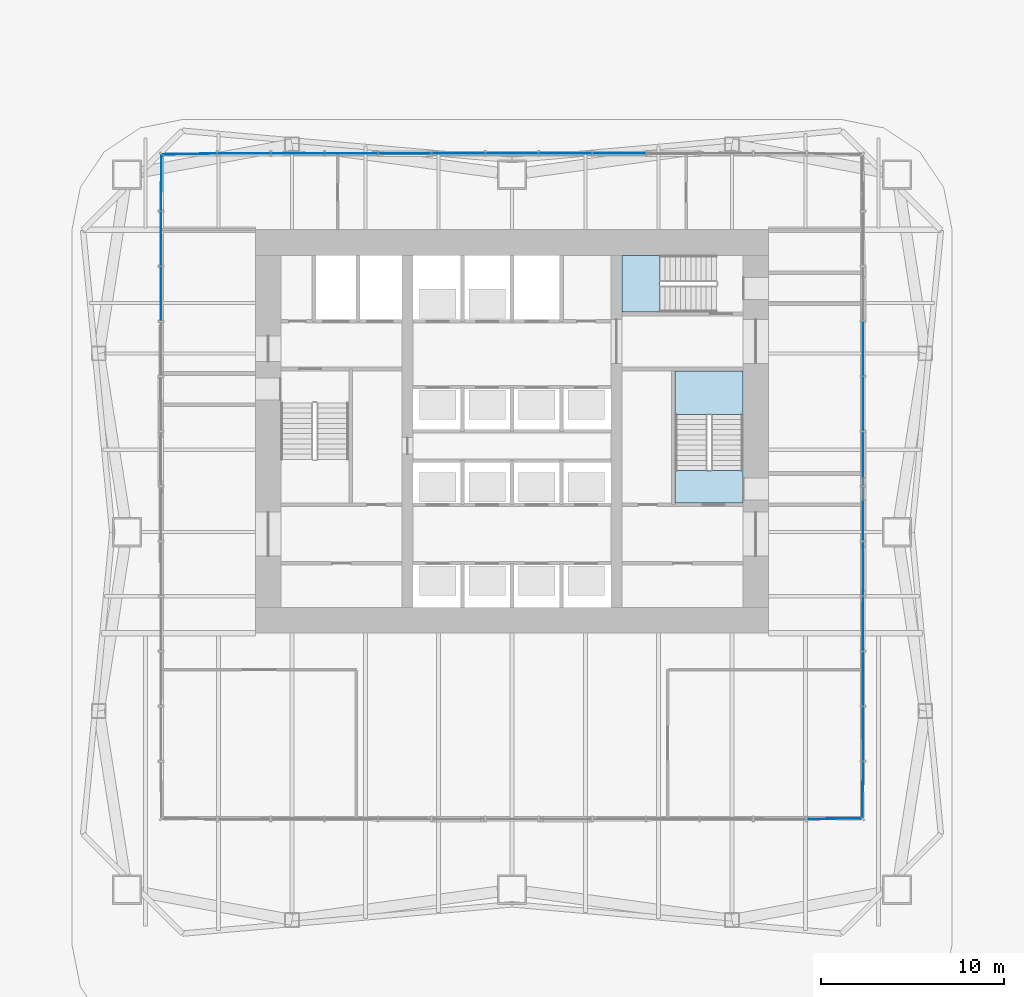
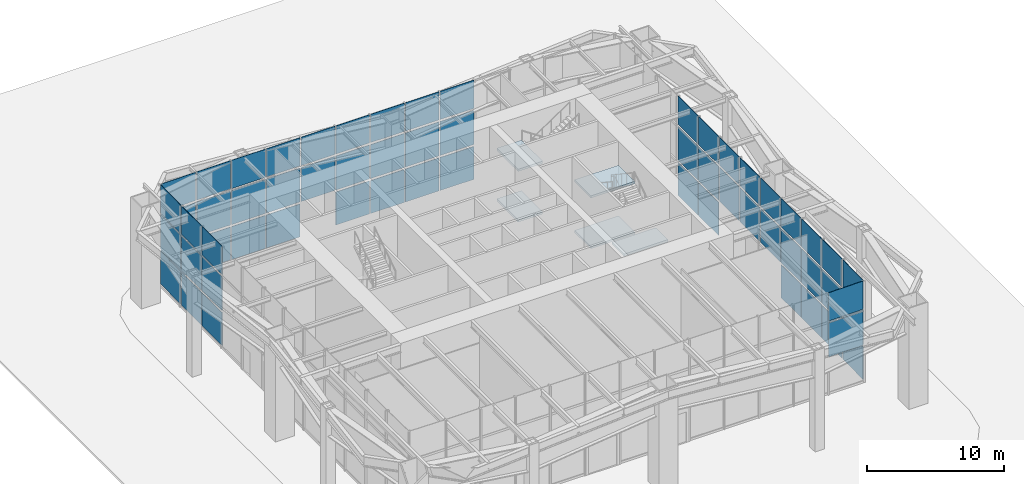
# One storey, part 6 of 13: 61 plates, 5 slabs, 6 elements without a shape of their own.
"""IFC4 building model written with IfcOpenShell, lengths in metres."""

import ifcopenshell
import ifcopenshell.guid

model = None  # the IFC model being written
_history = None  # IfcOwnerHistory: only IFC2X3 demands one
_inside = {}  # id of a spatial element -> (the spatial element, [elements in it])
_under = {}  # id of a project, library or spatial element -> (it, [spatial elements below it])
_declared = {}  # id of a project -> (the project, [libraries it declares])
_typed = {}  # id of a type object -> (the type object, [elements of that type])
_made_of = {}  # id of a material, layer set ... -> (it, [elements and type objects made of it])


def new_model(schema):
    """Start an empty IFC model of exactly this schema.

    Asked for "IFC4X3", IfcOpenShell would pick the latest addendum, in which some entities
    have other attributes; the version numbers below select the first issue.
    IFC2X3 requires an IfcOwnerHistory on every rooted entity: one is made here for all.
    """
    global model, _history
    if schema == "IFC4X3":
        model = ifcopenshell.file(schema_version=(4, 3, 0, 0))
    else:
        model = ifcopenshell.file(schema=schema)
    _inside.clear()
    _under.clear()
    _declared.clear()
    _typed.clear()
    _made_of.clear()
    _history = None
    if model.schema == "IFC2X3":
        org = make("IfcOrganization", Name="unknown")
        user = make(
            "IfcPersonAndOrganization",
            ThePerson=make("IfcPerson", FamilyName="unknown"),
            TheOrganization=org,
        )
        app = make(
            "IfcApplication",
            ApplicationDeveloper=org,
            Version="unknown",
            ApplicationFullName="unknown",
            ApplicationIdentifier="unknown",
        )
        _history = make(
            "IfcOwnerHistory",
            OwningUser=user,
            OwningApplication=app,
            ChangeAction="ADDED",
            CreationDate=0,
        )
    return model


def make(cls, **values):
    """One entity of the class cls with the attributes given. An attribute that is None is left unset."""
    return model.create_entity(
        cls, **{name: value for name, value in values.items() if value is not None}
    )


def rooted(cls, **values):
    """An entity with a GlobalId (a new one), such as an element, a storey or a relation."""
    return make(cls, GlobalId=ifcopenshell.guid.new(), OwnerHistory=_history, **values)


def si_unit(unit_type, name, prefix=None):
    """IfcSIUnit, for example si_unit("LENGTHUNIT", "METRE", prefix="MILLI")."""
    return make("IfcSIUnit", UnitType=unit_type, Prefix=prefix, Name=name)


def assignment(units):
    """IfcUnitAssignment: the units of a project."""
    return None if units is None else make("IfcUnitAssignment", Units=units)


def point(xyz):
    """IfcCartesianPoint."""
    return None if xyz is None else make("IfcCartesianPoint", Coordinates=xyz)


def direction(xyz):
    """IfcDirection."""
    return None if xyz is None else make("IfcDirection", DirectionRatios=xyz)


def frame(location, z_axis=None, x_axis=None):
    """IfcAxis2Placement3D, a coordinate frame: its origin and axes. An axis left out is left unset."""
    return make(
        "IfcAxis2Placement3D",
        Location=point(location),
        Axis=direction(z_axis),
        RefDirection=direction(x_axis),
    )


def frame_2d(location, x_axis=None):
    """IfcAxis2Placement2D, a coordinate frame in the plane: its origin and x axis."""
    return make(
        "IfcAxis2Placement2D", Location=point(location), RefDirection=direction(x_axis)
    )


def origin():
    """The frame at (0, 0, 0) with its axes left unset."""
    return frame((0.0, 0.0, 0.0))


def origin_2d():
    """The frame at (0, 0) in the plane with its x axis left unset."""
    return frame_2d((0.0, 0.0))


def place(relative_to, where):
    """IfcLocalPlacement: puts the frame where relative to a parent placement (None: the world)."""
    return make(
        "IfcLocalPlacement", PlacementRelTo=relative_to, RelativePlacement=where
    )


def context(
    kind, dimensions, precision=None, world=None, true_north=None, identifier=None
):
    """IfcGeometricRepresentationContext, for example the 3D "Model" context."""
    return make(
        "IfcGeometricRepresentationContext",
        ContextIdentifier=identifier,
        ContextType=kind,
        CoordinateSpaceDimension=dimensions,
        Precision=precision,
        WorldCoordinateSystem=world,
        TrueNorth=true_north,
    )


def subcontext(parent, identifier, kind, view, scale=None):
    """IfcGeometricRepresentationSubContext, for example "Body" below "Model"."""
    return make(
        "IfcGeometricRepresentationSubContext",
        ContextIdentifier=identifier,
        ContextType=kind,
        ParentContext=parent,
        TargetScale=scale,
        TargetView=view,
    )


def project(units=None, contexts=None):
    """IfcProject with its units and contexts."""
    return rooted(
        "IfcProject",
        Name="project",
        RepresentationContexts=contexts,
        UnitsInContext=assignment(units),
    )


def spatial(cls, under=None, at=None, **own):
    """A site, building, storey or space (cls), placed at a placement, below another one or the project."""
    s = rooted(cls, ObjectPlacement=at, **own)
    if under is not None:
        _under.setdefault(under.id(), (under, []))[1].append(s)
    return s


def polyline(points):
    """IfcPolyline through the points."""
    return make("IfcPolyline", Points=[point(p) for p in points])


def profile(cls, at=None, kind="AREA", **sizes):
    """A parametric profile (cls). Its sizes go by their IFC names, for example OverallWidth=200.0."""
    return make(cls, ProfileType=kind, Position=at, **sizes)


def rectangle(**sizes):
    """IfcRectangleProfileDef."""
    return profile("IfcRectangleProfileDef", **sizes)


def outline(outer, holes=None, kind="AREA"):
    """IfcArbitraryClosedProfileDef: a profile drawn as a closed curve; with holes, ...WithVoids."""
    if holes is None:
        return make("IfcArbitraryClosedProfileDef", ProfileType=kind, OuterCurve=outer)
    return make(
        "IfcArbitraryProfileDefWithVoids",
        ProfileType=kind,
        OuterCurve=outer,
        InnerCurves=holes,
    )


def extrude(swept, where, along, depth):
    """IfcExtrudedAreaSolid: the profile swept, set in the frame where, extruded along a direction by depth."""
    return make(
        "IfcExtrudedAreaSolid",
        SweptArea=swept,
        Position=where,
        ExtrudedDirection=direction(along),
        Depth=depth,
    )


def shape(context_of_items, identifier, shape_type, items):
    """IfcShapeRepresentation: the items that make up one representation, for example the "Body"."""
    return make(
        "IfcShapeRepresentation",
        ContextOfItems=context_of_items,
        RepresentationIdentifier=identifier,
        RepresentationType=shape_type,
        Items=items,
    )


def material(Name=None, Category=None):
    """IfcMaterial."""
    return make("IfcMaterial", Name=Name, Category=Category)


def layer(
    of_material, thickness, ventilated=None, Name=None, Category=None, Priority=None
):
    """IfcMaterialLayer: one layer of a wall or slab, of a material (None: an air gap)."""
    return make(
        "IfcMaterialLayer",
        Material=of_material,
        LayerThickness=thickness,
        IsVentilated=ventilated,
        Name=Name,
        Category=Category,
        Priority=Priority,
    )


def layer_set(layers, Name=None):
    """IfcMaterialLayerSet."""
    return make("IfcMaterialLayerSet", MaterialLayers=layers, LayerSetName=Name)


def made_of(thing, what):
    """Note that an element or type object is made of a material, layer set ...; save() writes the relation."""
    if what is not None:
        _made_of.setdefault(what.id(), (what, []))[1].append(thing)
    return thing


def type_object(cls, material=None, **own):
    """A type object (cls), such as IfcWallType, which elements share."""
    return made_of(rooted(cls, **own), material)


def element(
    cls,
    number,
    at=None,
    inside=None,
    cuts=None,
    type_object=None,
    material=None,
    context=None,
    identifier="Body",
    shape_type=None,
    held_by="IfcProductDefinitionShape",
    body=None,
    shapes=None,
    **own,
):
    """One element of the class cls, such as IfcWall. Its Tag is "e" and its number.

    at: its placement. inside: the storey or other place that contains it. cuts: it is an
    opening in that element (IfcRelVoidsElement). A single representation is given by context,
    identifier, shape_type and body (its items); several are given by shapes. held_by: the class
    of the entity that holds the representations. save() writes the other relations.
    """
    e = rooted(cls, Tag="e%d" % number, ObjectPlacement=at, **own)
    if body is not None:
        shapes = [shape(context, identifier, shape_type, body)]
    if shapes is not None:
        e.Representation = make(held_by, Representations=shapes)
    if inside is not None:
        _inside.setdefault(inside.id(), (inside, []))[1].append(e)
    if cuts is not None:
        rooted(
            "IfcRelVoidsElement", RelatingBuildingElement=cuts, RelatedOpeningElement=e
        )
    if type_object is not None:
        _typed.setdefault(type_object.id(), (type_object, []))[1].append(e)
    return made_of(e, material)


def aggregate(whole, parts):
    """IfcRelAggregates: a whole, such as a stair, and the parts it consists of."""
    return rooted("IfcRelAggregates", RelatingObject=whole, RelatedObjects=parts)


def save(model, path):
    """Write the relations noted so far, then the file.

    IfcRelAggregates (storeys below a building ...), IfcRelContainedInSpatialStructure (elements
    in a storey), IfcRelDefinesByType, IfcRelAssociatesMaterial and IfcRelDeclares: one each for
    every whole, place, type object, material and project.
    """
    for whole, parts in _under.values():
        aggregate(whole, parts)
    for where, things in _inside.values():
        rooted(
            "IfcRelContainedInSpatialStructure",
            RelatedElements=things,
            RelatingStructure=where,
        )
    for kind, things in _typed.values():
        rooted("IfcRelDefinesByType", RelatedObjects=things, RelatingType=kind)
    for what, things in _made_of.values():
        rooted("IfcRelAssociatesMaterial", RelatedObjects=things, RelatingMaterial=what)
    for by, libraries in _declared.values():
        rooted("IfcRelDeclares", RelatingContext=by, RelatedDefinitions=libraries)
    model.write(path)


model = new_model("IFC4")

# Units and contexts
model_context = context("Model", 3, precision=1e-05, world=origin(), true_north=direction((0.0, 1.0)))
body_context = subcontext(model_context, "Body", "Model", "MODEL_VIEW")
ifc_project = project(units=[si_unit("LENGTHUNIT", "METRE"), si_unit("AREAUNIT", "SQUARE_METRE"), si_unit("VOLUMEUNIT", "CUBIC_METRE"), si_unit("PLANEANGLEUNIT", "RADIAN"), si_unit("MASSUNIT", "GRAM", prefix="KILO")], contexts=[model_context])

# Site, building, storey
site_placement = place(None, origin())
site = spatial("IfcSite", under=ifc_project, at=site_placement, CompositionType="ELEMENT")
building_placement = place(site_placement, origin())
building = spatial("IfcBuilding", under=site, at=building_placement, Name="Verdant Reach Tower", CompositionType="ELEMENT")
storey_placement = place(building_placement, origin())
storey = spatial("IfcBuildingStorey", under=building, at=storey_placement, Name="G", CompositionType="ELEMENT", Elevation=0.0)

# Stair, slabs
ifc_material_1 = material(Name="Concrete C40/50", Category="concrete")
stair_type = type_object("IfcStairType", Name="CO-STAIR", PredefinedType="HALF_TURN_STAIR", material=ifc_material_1)
stair_1_placement = place(storey_placement, origin())
stair_1 = element("IfcStair", 1, at=stair_1_placement, inside=storey, type_object=stair_type, Name="G Exit stair 2", PredefinedType="HALF_TURN_STAIR")
ifc_layer_1 = layer(ifc_material_1, 0.199951171875)
ifc_layer_set_1 = layer_set([ifc_layer_1], Name="CO-STAIR-LANDING")
slab_type = type_object("IfcSlabType", Name="CO-STAIR-LANDING", PredefinedType="LANDING", material=ifc_layer_set_1)
slab_1_placement = place(storey_placement, frame((0.0, 0.0, 2.050048828125)))
slab_1 = element("IfcSlab", 2, at=slab_1_placement, type_object=slab_type, Name="ST-2 landing 1", PredefinedType="LANDING", context=body_context, shape_type="SweptSolid", body=[
    extrude(outline(polyline([(12.60009765625, 28.929931640625), (12.60009765625, 31.300048828125), (8.89990234375, 31.300048828125), (8.89990234375, 28.929931640625), (12.60009765625, 28.929931640625)])), origin(), (0.0, 0.0, 1.0), 0.199951171875),
])
slab_2_placement = place(storey_placement, frame((0.0, 0.0, 4.300048828125)))
slab_2 = element("IfcSlab", 3, at=slab_2_placement, type_object=slab_type, Name="ST-2 landing 2", PredefinedType="LANDING", context=body_context, shape_type="SweptSolid", body=[
    extrude(outline(polyline([(12.60009765625, 24.10009765625), (12.60009765625, 25.85009765625), (8.89990234375, 25.85009765625), (8.89990234375, 24.10009765625), (12.60009765625, 24.10009765625)])), origin(), (0.0, 0.0, 1.0), 0.199951171875),
])
slab_3_placement = place(storey_placement, frame((0.0, 0.0, 6.550048828125)))
slab_3 = element("IfcSlab", 4, at=slab_3_placement, type_object=slab_type, Name="ST-2 landing 3", PredefinedType="LANDING", context=body_context, shape_type="SweptSolid", body=[
    extrude(outline(polyline([(12.60009765625, 28.929931640625), (12.60009765625, 31.300048828125), (8.89990234375, 31.300048828125), (8.89990234375, 28.929931640625), (12.60009765625, 28.929931640625)])), origin(), (0.0, 0.0, 1.0), 0.199951171875),
])
aggregate(stair_1, [slab_1, slab_2, slab_3])

stair_2_placement = place(storey_placement, origin())
stair_2 = element("IfcStair", 5, at=stair_2_placement, inside=storey, type_object=stair_type, Name="G Exit stair 3", PredefinedType="HALF_TURN_STAIR")
slab_4_placement = place(storey_placement, frame((0.0, 0.0, 2.050048828125)))
slab_4 = element("IfcSlab", 6, at=slab_4_placement, type_object=slab_type, Name="ST-3 landing 1", PredefinedType="LANDING", context=body_context, shape_type="SweptSolid", body=[
    extrude(outline(polyline([(8.070068359375, 37.60009765625), (6.0, 37.60009765625), (6.0, 34.5), (8.070068359375, 34.5), (8.070068359375, 37.60009765625)])), origin(), (0.0, 0.0, 1.0), 0.199951171875),
])
slab_5_placement = place(storey_placement, frame((0.0, 0.0, 6.550048828125)))
slab_5 = element("IfcSlab", 7, at=slab_5_placement, type_object=slab_type, Name="ST-3 landing 3", PredefinedType="LANDING", context=body_context, shape_type="SweptSolid", body=[
    extrude(outline(polyline([(8.070068359375, 37.60009765625), (6.0, 37.60009765625), (6.0, 34.5), (8.070068359375, 34.5), (8.070068359375, 37.60009765625)])), origin(), (0.0, 0.0, 1.0), 0.199951171875),
])
aggregate(stair_2, [slab_4, slab_5])

# Curtain wall, plates
ifc_material_2 = material(Name="Anodised aluminium", Category="aluminium")
curtain_wall_type = type_object("IfcCurtainWallType", Name="EN-CW SYSTEM LOBBY", PredefinedType="NOTDEFINED", material=ifc_material_2)
curtain_wall_1_placement = place(storey_placement, origin())
curtain_wall_1 = element("IfcCurtainWall", 8, at=curtain_wall_1_placement, inside=storey, type_object=curtain_wall_type, Name="Curtain wall south, G", PredefinedType="NOTDEFINED")
ifc_material_3 = material(Name="Clear laminated glass", Category="glass")
ifc_layer_2 = layer(ifc_material_3, 0.035888671875)
ifc_layer_set_2 = layer_set([ifc_layer_2], Name="EN-PANEL CLEAR")
plate_type = type_object("IfcPlateType", Name="EN-PANEL CLEAR", PredefinedType="CURTAIN_PANEL", material=ifc_layer_set_2)
plate_1_placement = place(storey_placement, frame((17.591552734375, 6.8720703125, 3.2900390625), z_axis=(0.0, 0.0, 1.0), x_axis=(0.999894836966, 0.014502241536, 0.0)))
plate_1 = element("IfcPlate", 9, at=plate_1_placement, type_object=plate_type, Name="Glass panel south face part 1 13.2, G", PredefinedType="CURTAIN_PANEL", context=body_context, shape_type="SweptSolid", body=[
    extrude(rectangle(XDim=2.933349609375, YDim=0.035888671875, at=origin_2d()), origin(), (0.0, 0.0, 1.0), 3.02001953125),
])
plate_2_placement = place(storey_placement, frame((17.591552734375, 6.8720703125, 6.490234375), z_axis=(0.0, 0.0, 1.0), x_axis=(0.999894836966, 0.014502241536, 0.0)))
plate_2 = element("IfcPlate", 10, at=plate_2_placement, type_object=plate_type, Name="Glass panel south face part 1 13.3, G", PredefinedType="CURTAIN_PANEL", context=body_context, shape_type="SweptSolid", body=[
    extrude(rectangle(XDim=2.933349609375, YDim=0.035888671875, at=origin_2d()), origin(), (0.0, 0.0, 1.0), 2.510009765625),
])
aggregate(curtain_wall_1, [plate_1, plate_2])

curtain_wall_2_placement = place(storey_placement, origin())
curtain_wall_2 = element("IfcCurtainWall", 11, at=curtain_wall_2_placement, inside=storey, type_object=curtain_wall_type, Name="Curtain wall east, G", PredefinedType="NOTDEFINED")
plate_3_placement = place(storey_placement, frame((19.1279296875, 8.447021484375, 0.18017578125), z_axis=(0.0, 0.0, 1.0), x_axis=(0.014143159969, 0.999899980511, 0.0)))
plate_3 = element("IfcPlate", 12, at=plate_3_placement, type_object=plate_type, Name="Glass panel east face part 1 1.1, G", PredefinedType="CURTAIN_PANEL", context=body_context, shape_type="SweptSolid", body=[
    extrude(rectangle(XDim=3.010498046875, YDim=0.035888671875, at=origin_2d()), origin(), (0.0, 0.0, 1.0), 2.929931640625),
])
plate_4_placement = place(storey_placement, frame((19.1279296875, 8.447021484375, 3.2900390625), z_axis=(0.0, 0.0, 1.0), x_axis=(0.014143159969, 0.999899980511, 0.0)))
plate_4 = element("IfcPlate", 13, at=plate_4_placement, type_object=plate_type, Name="Glass panel east face part 1 1.2, G", PredefinedType="CURTAIN_PANEL", context=body_context, shape_type="SweptSolid", body=[
    extrude(rectangle(XDim=3.010498046875, YDim=0.035888671875, at=origin_2d()), origin(), (0.0, 0.0, 1.0), 3.02001953125),
])
plate_5_placement = place(storey_placement, frame((19.1279296875, 8.447021484375, 6.490234375), z_axis=(0.0, 0.0, 1.0), x_axis=(0.014143159969, 0.999899980511, 0.0)))
plate_5 = element("IfcPlate", 14, at=plate_5_placement, type_object=plate_type, Name="Glass panel east face part 1 1.3, G", PredefinedType="CURTAIN_PANEL", context=body_context, shape_type="SweptSolid", body=[
    extrude(rectangle(XDim=3.010498046875, YDim=0.035888671875, at=origin_2d()), origin(), (0.0, 0.0, 1.0), 2.510009765625),
])
plate_6_placement = place(storey_placement, frame((19.14990234375, 11.5, 0.18017578125), z_axis=(0.0, 0.0, 1.0), x_axis=(0.0, 1.0, 0.0)))
plate_6 = element("IfcPlate", 15, at=plate_6_placement, type_object=plate_type, Name="Glass panel east face part 1 2.1, G", PredefinedType="CURTAIN_PANEL", context=body_context, shape_type="SweptSolid", body=[
    extrude(rectangle(XDim=2.904052734375, YDim=0.035888671875, at=origin_2d()), origin(), (0.0, 0.0, 1.0), 2.929931640625),
])
plate_7_placement = place(storey_placement, frame((19.14990234375, 11.5, 3.2900390625), z_axis=(0.0, 0.0, 1.0), x_axis=(0.0, 1.0, 0.0)))
plate_7 = element("IfcPlate", 16, at=plate_7_placement, type_object=plate_type, Name="Glass panel east face part 1 2.2, G", PredefinedType="CURTAIN_PANEL", context=body_context, shape_type="SweptSolid", body=[
    extrude(rectangle(XDim=2.904052734375, YDim=0.035888671875, at=origin_2d()), origin(), (0.0, 0.0, 1.0), 3.02001953125),
])
plate_8_placement = place(storey_placement, frame((19.14990234375, 11.5, 6.490234375), z_axis=(0.0, 0.0, 1.0), x_axis=(0.0, 1.0, 0.0)))
plate_8 = element("IfcPlate", 17, at=plate_8_placement, type_object=plate_type, Name="Glass panel east face part 1 2.3, G", PredefinedType="CURTAIN_PANEL", context=body_context, shape_type="SweptSolid", body=[
    extrude(rectangle(XDim=2.904052734375, YDim=0.035888671875, at=origin_2d()), origin(), (0.0, 0.0, 1.0), 2.510009765625),
])
plate_9_placement = place(storey_placement, frame((19.14990234375, 14.5, 0.18017578125), z_axis=(0.0, 0.0, 1.0), x_axis=(0.0, 1.0, 0.0)))
plate_9 = element("IfcPlate", 18, at=plate_9_placement, type_object=plate_type, Name="Glass panel east face part 1 3.1, G", PredefinedType="CURTAIN_PANEL", context=body_context, shape_type="SweptSolid", body=[
    extrude(rectangle(XDim=2.904052734375, YDim=0.035888671875, at=origin_2d()), origin(), (0.0, 0.0, 1.0), 2.929931640625),
])
plate_10_placement = place(storey_placement, frame((19.14990234375, 14.5, 3.2900390625), z_axis=(0.0, 0.0, 1.0), x_axis=(0.0, 1.0, 0.0)))
plate_10 = element("IfcPlate", 19, at=plate_10_placement, type_object=plate_type, Name="Glass panel east face part 1 3.2, G", PredefinedType="CURTAIN_PANEL", context=body_context, shape_type="SweptSolid", body=[
    extrude(rectangle(XDim=2.904052734375, YDim=0.035888671875, at=origin_2d()), origin(), (0.0, 0.0, 1.0), 3.02001953125),
])
plate_11_placement = place(storey_placement, frame((19.14990234375, 14.5, 6.490234375), z_axis=(0.0, 0.0, 1.0), x_axis=(0.0, 1.0, 0.0)))
plate_11 = element("IfcPlate", 20, at=plate_11_placement, type_object=plate_type, Name="Glass panel east face part 1 3.3, G", PredefinedType="CURTAIN_PANEL", context=body_context, shape_type="SweptSolid", body=[
    extrude(rectangle(XDim=2.904052734375, YDim=0.035888671875, at=origin_2d()), origin(), (0.0, 0.0, 1.0), 2.510009765625),
])
plate_12_placement = place(storey_placement, frame((19.14990234375, 17.5, 0.18017578125), z_axis=(0.0, 0.0, 1.0), x_axis=(0.0, 1.0, 0.0)))
plate_12 = element("IfcPlate", 21, at=plate_12_placement, type_object=plate_type, Name="Glass panel east face part 1 4.1, G", PredefinedType="CURTAIN_PANEL", context=body_context, shape_type="SweptSolid", body=[
    extrude(rectangle(XDim=2.904052734375, YDim=0.035888671875, at=origin_2d()), origin(), (0.0, 0.0, 1.0), 2.929931640625),
])
plate_13_placement = place(storey_placement, frame((19.14990234375, 17.5, 3.2900390625), z_axis=(0.0, 0.0, 1.0), x_axis=(0.0, 1.0, 0.0)))
plate_13 = element("IfcPlate", 22, at=plate_13_placement, type_object=plate_type, Name="Glass panel east face part 1 4.2, G", PredefinedType="CURTAIN_PANEL", context=body_context, shape_type="SweptSolid", body=[
    extrude(rectangle(XDim=2.904052734375, YDim=0.035888671875, at=origin_2d()), origin(), (0.0, 0.0, 1.0), 3.02001953125),
])
plate_14_placement = place(storey_placement, frame((19.14990234375, 17.5, 6.490234375), z_axis=(0.0, 0.0, 1.0), x_axis=(0.0, 1.0, 0.0)))
plate_14 = element("IfcPlate", 23, at=plate_14_placement, type_object=plate_type, Name="Glass panel east face part 1 4.3, G", PredefinedType="CURTAIN_PANEL", context=body_context, shape_type="SweptSolid", body=[
    extrude(rectangle(XDim=2.904052734375, YDim=0.035888671875, at=origin_2d()), origin(), (0.0, 0.0, 1.0), 2.510009765625),
])
plate_15_placement = place(storey_placement, frame((19.14990234375, 20.5, 3.2900390625), z_axis=(0.0, 0.0, 1.0), x_axis=(0.0, 1.0, 0.0)))
plate_15 = element("IfcPlate", 24, at=plate_15_placement, type_object=plate_type, Name="Glass panel east face part 1 5.2, G", PredefinedType="CURTAIN_PANEL", context=body_context, shape_type="SweptSolid", body=[
    extrude(rectangle(XDim=2.904052734375, YDim=0.035888671875, at=origin_2d()), origin(), (0.0, 0.0, 1.0), 3.02001953125),
])
plate_16_placement = place(storey_placement, frame((19.14990234375, 20.5, 6.490234375), z_axis=(0.0, 0.0, 1.0), x_axis=(0.0, 1.0, 0.0)))
plate_16 = element("IfcPlate", 25, at=plate_16_placement, type_object=plate_type, Name="Glass panel east face part 1 5.3, G", PredefinedType="CURTAIN_PANEL", context=body_context, shape_type="SweptSolid", body=[
    extrude(rectangle(XDim=2.904052734375, YDim=0.035888671875, at=origin_2d()), origin(), (0.0, 0.0, 1.0), 2.510009765625),
])
plate_17_placement = place(storey_placement, frame((19.14990234375, 23.5, 3.2900390625), z_axis=(0.0, 0.0, 1.0), x_axis=(0.0, 1.0, 0.0)))
plate_17 = element("IfcPlate", 26, at=plate_17_placement, type_object=plate_type, Name="Glass panel east face part 1 6.2, G", PredefinedType="CURTAIN_PANEL", context=body_context, shape_type="SweptSolid", body=[
    extrude(rectangle(XDim=2.904052734375, YDim=0.035888671875, at=origin_2d()), origin(), (0.0, 0.0, 1.0), 3.02001953125),
])
plate_18_placement = place(storey_placement, frame((19.14990234375, 23.5, 6.490234375), z_axis=(0.0, 0.0, 1.0), x_axis=(0.0, 1.0, 0.0)))
plate_18 = element("IfcPlate", 27, at=plate_18_placement, type_object=plate_type, Name="Glass panel east face part 1 6.3, G", PredefinedType="CURTAIN_PANEL", context=body_context, shape_type="SweptSolid", body=[
    extrude(rectangle(XDim=2.904052734375, YDim=0.035888671875, at=origin_2d()), origin(), (0.0, 0.0, 1.0), 2.510009765625),
])
plate_19_placement = place(storey_placement, frame((19.14990234375, 26.5, 3.2900390625), z_axis=(0.0, 0.0, 1.0), x_axis=(0.0, 1.0, 0.0)))
plate_19 = element("IfcPlate", 28, at=plate_19_placement, type_object=plate_type, Name="Glass panel east face part 1 7.2, G", PredefinedType="CURTAIN_PANEL", context=body_context, shape_type="SweptSolid", body=[
    extrude(rectangle(XDim=2.904052734375, YDim=0.035888671875, at=origin_2d()), origin(), (0.0, 0.0, 1.0), 3.02001953125),
])
plate_20_placement = place(storey_placement, frame((19.14990234375, 26.5, 6.490234375), z_axis=(0.0, 0.0, 1.0), x_axis=(0.0, 1.0, 0.0)))
plate_20 = element("IfcPlate", 29, at=plate_20_placement, type_object=plate_type, Name="Glass panel east face part 1 7.3, G", PredefinedType="CURTAIN_PANEL", context=body_context, shape_type="SweptSolid", body=[
    extrude(rectangle(XDim=2.904052734375, YDim=0.035888671875, at=origin_2d()), origin(), (0.0, 0.0, 1.0), 2.510009765625),
])
plate_21_placement = place(storey_placement, frame((19.14990234375, 29.5, 0.18017578125), z_axis=(0.0, 0.0, 1.0), x_axis=(0.0, 1.0, 0.0)))
plate_21 = element("IfcPlate", 30, at=plate_21_placement, type_object=plate_type, Name="Glass panel east face part 1 8.1, G", PredefinedType="CURTAIN_PANEL", context=body_context, shape_type="SweptSolid", body=[
    extrude(rectangle(XDim=2.904052734375, YDim=0.035888671875, at=origin_2d()), origin(), (0.0, 0.0, 1.0), 2.929931640625),
])
plate_22_placement = place(storey_placement, frame((19.14990234375, 29.5, 3.2900390625), z_axis=(0.0, 0.0, 1.0), x_axis=(0.0, 1.0, 0.0)))
plate_22 = element("IfcPlate", 31, at=plate_22_placement, type_object=plate_type, Name="Glass panel east face part 1 8.2, G", PredefinedType="CURTAIN_PANEL", context=body_context, shape_type="SweptSolid", body=[
    extrude(rectangle(XDim=2.904052734375, YDim=0.035888671875, at=origin_2d()), origin(), (0.0, 0.0, 1.0), 3.02001953125),
])
plate_23_placement = place(storey_placement, frame((19.14990234375, 29.5, 6.490234375), z_axis=(0.0, 0.0, 1.0), x_axis=(0.0, 1.0, 0.0)))
plate_23 = element("IfcPlate", 32, at=plate_23_placement, type_object=plate_type, Name="Glass panel east face part 1 8.3, G", PredefinedType="CURTAIN_PANEL", context=body_context, shape_type="SweptSolid", body=[
    extrude(rectangle(XDim=2.904052734375, YDim=0.035888671875, at=origin_2d()), origin(), (0.0, 0.0, 1.0), 2.510009765625),
])
plate_24_placement = place(storey_placement, frame((19.14990234375, 32.5, 0.18017578125), z_axis=(0.0, 0.0, 1.0), x_axis=(0.0, 1.0, 0.0)))
plate_24 = element("IfcPlate", 33, at=plate_24_placement, type_object=plate_type, Name="Glass panel east face part 1 9.1, G", PredefinedType="CURTAIN_PANEL", context=body_context, shape_type="SweptSolid", body=[
    extrude(rectangle(XDim=2.904052734375, YDim=0.035888671875, at=origin_2d()), origin(), (0.0, 0.0, 1.0), 2.929931640625),
])
plate_25_placement = place(storey_placement, frame((19.14990234375, 32.5, 3.2900390625), z_axis=(0.0, 0.0, 1.0), x_axis=(0.0, 1.0, 0.0)))
plate_25 = element("IfcPlate", 34, at=plate_25_placement, type_object=plate_type, Name="Glass panel east face part 1 9.2, G", PredefinedType="CURTAIN_PANEL", context=body_context, shape_type="SweptSolid", body=[
    extrude(rectangle(XDim=2.904052734375, YDim=0.035888671875, at=origin_2d()), origin(), (0.0, 0.0, 1.0), 3.02001953125),
])
plate_26_placement = place(storey_placement, frame((19.14990234375, 32.5, 6.490234375), z_axis=(0.0, 0.0, 1.0), x_axis=(0.0, 1.0, 0.0)))
plate_26 = element("IfcPlate", 35, at=plate_26_placement, type_object=plate_type, Name="Glass panel east face part 1 9.3, G", PredefinedType="CURTAIN_PANEL", context=body_context, shape_type="SweptSolid", body=[
    extrude(rectangle(XDim=2.904052734375, YDim=0.035888671875, at=origin_2d()), origin(), (0.0, 0.0, 1.0), 2.510009765625),
])
aggregate(curtain_wall_2, [plate_3, plate_4, plate_5, plate_6, plate_7, plate_8, plate_9, plate_10, plate_11, plate_12, plate_13, plate_14, plate_15, plate_16, plate_17, plate_18, plate_19, plate_20, plate_21, plate_22, plate_23, plate_24, plate_25, plate_26])

curtain_wall_3_placement = place(storey_placement, origin())
curtain_wall_3 = element("IfcCurtainWall", 36, at=curtain_wall_3_placement, inside=storey, type_object=curtain_wall_type, Name="Curtain wall north, G", PredefinedType="NOTDEFINED")
plate_27_placement = place(storey_placement, frame((5.84619140625, 43.14990234375, 0.18017578125), z_axis=(0.0, 0.0, 1.0), x_axis=(-1.0, 0.0, 0.0)))
plate_27 = element("IfcPlate", 37, at=plate_27_placement, type_object=plate_type, Name="Glass panel north face part 1 5.1, G", PredefinedType="CURTAIN_PANEL", context=body_context, shape_type="SweptSolid", body=[
    extrude(rectangle(XDim=2.8271484375, YDim=0.035888671875, at=origin_2d()), origin(), (0.0, 0.0, 1.0), 2.929931640625),
])
plate_28_placement = place(storey_placement, frame((5.84619140625, 43.14990234375, 3.2900390625), z_axis=(0.0, 0.0, 1.0), x_axis=(-1.0, 0.0, 0.0)))
plate_28 = element("IfcPlate", 38, at=plate_28_placement, type_object=plate_type, Name="Glass panel north face part 1 5.2, G", PredefinedType="CURTAIN_PANEL", context=body_context, shape_type="SweptSolid", body=[
    extrude(rectangle(XDim=2.8271484375, YDim=0.035888671875, at=origin_2d()), origin(), (0.0, 0.0, 1.0), 3.02001953125),
])
plate_29_placement = place(storey_placement, frame((5.84619140625, 43.14990234375, 6.490234375), z_axis=(0.0, 0.0, 1.0), x_axis=(-1.0, 0.0, 0.0)))
plate_29 = element("IfcPlate", 39, at=plate_29_placement, type_object=plate_type, Name="Glass panel north face part 1 5.3, G", PredefinedType="CURTAIN_PANEL", context=body_context, shape_type="SweptSolid", body=[
    extrude(rectangle(XDim=2.8271484375, YDim=0.035888671875, at=origin_2d()), origin(), (0.0, 0.0, 1.0), 2.510009765625),
])
plate_30_placement = place(storey_placement, frame((2.923095703125, 43.14990234375, 0.18017578125), z_axis=(0.0, 0.0, 1.0), x_axis=(-1.0, 0.0, 0.0)))
plate_30 = element("IfcPlate", 40, at=plate_30_placement, type_object=plate_type, Name="Glass panel north face part 1 6.1, G", PredefinedType="CURTAIN_PANEL", context=body_context, shape_type="SweptSolid", body=[
    extrude(rectangle(XDim=2.8271484375, YDim=0.035888671875, at=origin_2d()), origin(), (0.0, 0.0, 1.0), 2.929931640625),
])
plate_31_placement = place(storey_placement, frame((2.923095703125, 43.14990234375, 3.2900390625), z_axis=(0.0, 0.0, 1.0), x_axis=(-1.0, 0.0, 0.0)))
plate_31 = element("IfcPlate", 41, at=plate_31_placement, type_object=plate_type, Name="Glass panel north face part 1 6.2, G", PredefinedType="CURTAIN_PANEL", context=body_context, shape_type="SweptSolid", body=[
    extrude(rectangle(XDim=2.8271484375, YDim=0.035888671875, at=origin_2d()), origin(), (0.0, 0.0, 1.0), 3.02001953125),
])
plate_32_placement = place(storey_placement, frame((2.923095703125, 43.14990234375, 6.490234375), z_axis=(0.0, 0.0, 1.0), x_axis=(-1.0, 0.0, 0.0)))
plate_32 = element("IfcPlate", 42, at=plate_32_placement, type_object=plate_type, Name="Glass panel north face part 1 6.3, G", PredefinedType="CURTAIN_PANEL", context=body_context, shape_type="SweptSolid", body=[
    extrude(rectangle(XDim=2.8271484375, YDim=0.035888671875, at=origin_2d()), origin(), (0.0, 0.0, 1.0), 2.510009765625),
])
plate_33_placement = place(storey_placement, frame((0.0, 43.14990234375, 0.18017578125), z_axis=(0.0, 0.0, 1.0), x_axis=(-1.0, 0.0, 0.0)))
plate_33 = element("IfcPlate", 43, at=plate_33_placement, type_object=plate_type, Name="Glass panel north face part 1 7.1, G", PredefinedType="CURTAIN_PANEL", context=body_context, shape_type="SweptSolid", body=[
    extrude(rectangle(XDim=2.8271484375, YDim=0.035888671875, at=origin_2d()), origin(), (0.0, 0.0, 1.0), 2.929931640625),
])
plate_34_placement = place(storey_placement, frame((0.0, 43.14990234375, 3.2900390625), z_axis=(0.0, 0.0, 1.0), x_axis=(-1.0, 0.0, 0.0)))
plate_34 = element("IfcPlate", 44, at=plate_34_placement, type_object=plate_type, Name="Glass panel north face part 1 7.2, G", PredefinedType="CURTAIN_PANEL", context=body_context, shape_type="SweptSolid", body=[
    extrude(rectangle(XDim=2.8271484375, YDim=0.035888671875, at=origin_2d()), origin(), (0.0, 0.0, 1.0), 3.02001953125),
])
plate_35_placement = place(storey_placement, frame((0.0, 43.14990234375, 6.490234375), z_axis=(0.0, 0.0, 1.0), x_axis=(-1.0, 0.0, 0.0)))
plate_35 = element("IfcPlate", 45, at=plate_35_placement, type_object=plate_type, Name="Glass panel north face part 1 7.3, G", PredefinedType="CURTAIN_PANEL", context=body_context, shape_type="SweptSolid", body=[
    extrude(rectangle(XDim=2.8271484375, YDim=0.035888671875, at=origin_2d()), origin(), (0.0, 0.0, 1.0), 2.510009765625),
])
plate_36_placement = place(storey_placement, frame((-2.923095703125, 43.14990234375, 0.18017578125), z_axis=(0.0, 0.0, 1.0), x_axis=(-1.0, 0.0, 0.0)))
plate_36 = element("IfcPlate", 46, at=plate_36_placement, type_object=plate_type, Name="Glass panel north face part 1 8.1, G", PredefinedType="CURTAIN_PANEL", context=body_context, shape_type="SweptSolid", body=[
    extrude(rectangle(XDim=2.8271484375, YDim=0.035888671875, at=origin_2d()), origin(), (0.0, 0.0, 1.0), 2.929931640625),
])
plate_37_placement = place(storey_placement, frame((-2.923095703125, 43.14990234375, 3.2900390625), z_axis=(0.0, 0.0, 1.0), x_axis=(-1.0, 0.0, 0.0)))
plate_37 = element("IfcPlate", 47, at=plate_37_placement, type_object=plate_type, Name="Glass panel north face part 1 8.2, G", PredefinedType="CURTAIN_PANEL", context=body_context, shape_type="SweptSolid", body=[
    extrude(rectangle(XDim=2.8271484375, YDim=0.035888671875, at=origin_2d()), origin(), (0.0, 0.0, 1.0), 3.02001953125),
])
plate_38_placement = place(storey_placement, frame((-2.923095703125, 43.14990234375, 6.490234375), z_axis=(0.0, 0.0, 1.0), x_axis=(-1.0, 0.0, 0.0)))
plate_38 = element("IfcPlate", 48, at=plate_38_placement, type_object=plate_type, Name="Glass panel north face part 1 8.3, G", PredefinedType="CURTAIN_PANEL", context=body_context, shape_type="SweptSolid", body=[
    extrude(rectangle(XDim=2.8271484375, YDim=0.035888671875, at=origin_2d()), origin(), (0.0, 0.0, 1.0), 2.510009765625),
])
plate_39_placement = place(storey_placement, frame((-5.84619140625, 43.14990234375, 3.2900390625), z_axis=(0.0, 0.0, 1.0), x_axis=(-1.0, 0.0, 0.0)))
plate_39 = element("IfcPlate", 49, at=plate_39_placement, type_object=plate_type, Name="Glass panel north face part 1 9.2, G", PredefinedType="CURTAIN_PANEL", context=body_context, shape_type="SweptSolid", body=[
    extrude(rectangle(XDim=2.8271484375, YDim=0.035888671875, at=origin_2d()), origin(), (0.0, 0.0, 1.0), 3.02001953125),
])
plate_40_placement = place(storey_placement, frame((-5.84619140625, 43.14990234375, 6.490234375), z_axis=(0.0, 0.0, 1.0), x_axis=(-1.0, 0.0, 0.0)))
plate_40 = element("IfcPlate", 50, at=plate_40_placement, type_object=plate_type, Name="Glass panel north face part 1 9.3, G", PredefinedType="CURTAIN_PANEL", context=body_context, shape_type="SweptSolid", body=[
    extrude(rectangle(XDim=2.8271484375, YDim=0.035888671875, at=origin_2d()), origin(), (0.0, 0.0, 1.0), 2.510009765625),
])
plate_41_placement = place(storey_placement, frame((-8.769287109375, 43.14990234375, 0.18017578125), z_axis=(0.0, 0.0, 1.0), x_axis=(-1.0, 0.0, 0.0)))
plate_41 = element("IfcPlate", 51, at=plate_41_placement, type_object=plate_type, Name="Glass panel north face part 1 10.1, G", PredefinedType="CURTAIN_PANEL", context=body_context, shape_type="SweptSolid", body=[
    extrude(rectangle(XDim=2.8271484375, YDim=0.035888671875, at=origin_2d()), origin(), (0.0, 0.0, 1.0), 2.929931640625),
])
plate_42_placement = place(storey_placement, frame((-8.769287109375, 43.14990234375, 3.2900390625), z_axis=(0.0, 0.0, 1.0), x_axis=(-1.0, 0.0, 0.0)))
plate_42 = element("IfcPlate", 52, at=plate_42_placement, type_object=plate_type, Name="Glass panel north face part 1 10.2, G", PredefinedType="CURTAIN_PANEL", context=body_context, shape_type="SweptSolid", body=[
    extrude(rectangle(XDim=2.8271484375, YDim=0.035888671875, at=origin_2d()), origin(), (0.0, 0.0, 1.0), 3.02001953125),
])
plate_43_placement = place(storey_placement, frame((-8.769287109375, 43.14990234375, 6.490234375), z_axis=(0.0, 0.0, 1.0), x_axis=(-1.0, 0.0, 0.0)))
plate_43 = element("IfcPlate", 53, at=plate_43_placement, type_object=plate_type, Name="Glass panel north face part 1 10.3, G", PredefinedType="CURTAIN_PANEL", context=body_context, shape_type="SweptSolid", body=[
    extrude(rectangle(XDim=2.8271484375, YDim=0.035888671875, at=origin_2d()), origin(), (0.0, 0.0, 1.0), 2.510009765625),
])
plate_44_placement = place(storey_placement, frame((-11.6923828125, 43.14990234375, 0.18017578125), z_axis=(0.0, 0.0, 1.0), x_axis=(-1.0, 0.0, 0.0)))
plate_44 = element("IfcPlate", 54, at=plate_44_placement, type_object=plate_type, Name="Glass panel north face part 1 11.1, G", PredefinedType="CURTAIN_PANEL", context=body_context, shape_type="SweptSolid", body=[
    extrude(rectangle(XDim=2.8271484375, YDim=0.035888671875, at=origin_2d()), origin(), (0.0, 0.0, 1.0), 2.929931640625),
])
plate_45_placement = place(storey_placement, frame((-11.6923828125, 43.14990234375, 3.2900390625), z_axis=(0.0, 0.0, 1.0), x_axis=(-1.0, 0.0, 0.0)))
plate_45 = element("IfcPlate", 55, at=plate_45_placement, type_object=plate_type, Name="Glass panel north face part 1 11.2, G", PredefinedType="CURTAIN_PANEL", context=body_context, shape_type="SweptSolid", body=[
    extrude(rectangle(XDim=2.8271484375, YDim=0.035888671875, at=origin_2d()), origin(), (0.0, 0.0, 1.0), 3.02001953125),
])
plate_46_placement = place(storey_placement, frame((-11.6923828125, 43.14990234375, 6.490234375), z_axis=(0.0, 0.0, 1.0), x_axis=(-1.0, 0.0, 0.0)))
plate_46 = element("IfcPlate", 56, at=plate_46_placement, type_object=plate_type, Name="Glass panel north face part 1 11.3, G", PredefinedType="CURTAIN_PANEL", context=body_context, shape_type="SweptSolid", body=[
    extrude(rectangle(XDim=2.8271484375, YDim=0.035888671875, at=origin_2d()), origin(), (0.0, 0.0, 1.0), 2.510009765625),
])
plate_47_placement = place(storey_placement, frame((-14.615478515625, 43.14990234375, 0.18017578125), z_axis=(0.0, 0.0, 1.0), x_axis=(-1.0, 0.0, 0.0)))
plate_47 = element("IfcPlate", 57, at=plate_47_placement, type_object=plate_type, Name="Glass panel north face part 1 12.1, G", PredefinedType="CURTAIN_PANEL", context=body_context, shape_type="SweptSolid", body=[
    extrude(rectangle(XDim=2.8271484375, YDim=0.035888671875, at=origin_2d()), origin(), (0.0, 0.0, 1.0), 2.929931640625),
])
plate_48_placement = place(storey_placement, frame((-14.615478515625, 43.14990234375, 3.2900390625), z_axis=(0.0, 0.0, 1.0), x_axis=(-1.0, 0.0, 0.0)))
plate_48 = element("IfcPlate", 58, at=plate_48_placement, type_object=plate_type, Name="Glass panel north face part 1 12.2, G", PredefinedType="CURTAIN_PANEL", context=body_context, shape_type="SweptSolid", body=[
    extrude(rectangle(XDim=2.8271484375, YDim=0.035888671875, at=origin_2d()), origin(), (0.0, 0.0, 1.0), 3.02001953125),
])
plate_49_placement = place(storey_placement, frame((-14.615478515625, 43.14990234375, 6.490234375), z_axis=(0.0, 0.0, 1.0), x_axis=(-1.0, 0.0, 0.0)))
plate_49 = element("IfcPlate", 59, at=plate_49_placement, type_object=plate_type, Name="Glass panel north face part 1 12.3, G", PredefinedType="CURTAIN_PANEL", context=body_context, shape_type="SweptSolid", body=[
    extrude(rectangle(XDim=2.8271484375, YDim=0.035888671875, at=origin_2d()), origin(), (0.0, 0.0, 1.0), 2.510009765625),
])
plate_50_placement = place(storey_placement, frame((-17.591552734375, 43.1279296875, 0.18017578125), z_axis=(0.0, 0.0, 1.0), x_axis=(-0.999894836966, -0.014502241536, 0.0)))
plate_50 = element("IfcPlate", 60, at=plate_50_placement, type_object=plate_type, Name="Glass panel north face part 1 13.1, G", PredefinedType="CURTAIN_PANEL", context=body_context, shape_type="SweptSolid", body=[
    extrude(rectangle(XDim=2.933349609375, YDim=0.035888671875, at=origin_2d()), origin(), (0.0, 0.0, 1.0), 2.929931640625),
])
plate_51_placement = place(storey_placement, frame((-17.591552734375, 43.1279296875, 3.2900390625), z_axis=(0.0, 0.0, 1.0), x_axis=(-0.999894836966, -0.014502241536, 0.0)))
plate_51 = element("IfcPlate", 61, at=plate_51_placement, type_object=plate_type, Name="Glass panel north face part 1 13.2, G", PredefinedType="CURTAIN_PANEL", context=body_context, shape_type="SweptSolid", body=[
    extrude(rectangle(XDim=2.933349609375, YDim=0.035888671875, at=origin_2d()), origin(), (0.0, 0.0, 1.0), 3.02001953125),
])
plate_52_placement = place(storey_placement, frame((-17.591552734375, 43.1279296875, 6.490234375), z_axis=(0.0, 0.0, 1.0), x_axis=(-0.999894836966, -0.014502241536, 0.0)))
plate_52 = element("IfcPlate", 62, at=plate_52_placement, type_object=plate_type, Name="Glass panel north face part 1 13.3, G", PredefinedType="CURTAIN_PANEL", context=body_context, shape_type="SweptSolid", body=[
    extrude(rectangle(XDim=2.933349609375, YDim=0.035888671875, at=origin_2d()), origin(), (0.0, 0.0, 1.0), 2.510009765625),
])
aggregate(curtain_wall_3, [plate_27, plate_28, plate_29, plate_30, plate_31, plate_32, plate_33, plate_34, plate_35, plate_36, plate_37, plate_38, plate_39, plate_40, plate_41, plate_42, plate_43, plate_44, plate_45, plate_46, plate_47, plate_48, plate_49, plate_50, plate_51, plate_52])

curtain_wall_4_placement = place(storey_placement, origin())
curtain_wall_4 = element("IfcCurtainWall", 63, at=curtain_wall_4_placement, inside=storey, type_object=curtain_wall_type, Name="Curtain wall west, G", PredefinedType="NOTDEFINED")
plate_53_placement = place(storey_placement, frame((-19.1279296875, 41.552978515625, 0.18017578125), z_axis=(0.0, 0.0, 1.0), x_axis=(-0.014143159969, -0.999899980511, 0.0)))
plate_53 = element("IfcPlate", 64, at=plate_53_placement, type_object=plate_type, Name="Glass panel west face part 1 1.1, G", PredefinedType="CURTAIN_PANEL", context=body_context, shape_type="SweptSolid", body=[
    extrude(rectangle(XDim=3.010498046875, YDim=0.035888671875, at=origin_2d()), origin(), (0.0, 0.0, 1.0), 2.929931640625),
])
plate_54_placement = place(storey_placement, frame((-19.1279296875, 41.552978515625, 3.2900390625), z_axis=(0.0, 0.0, 1.0), x_axis=(-0.014143159969, -0.999899980511, 0.0)))
plate_54 = element("IfcPlate", 65, at=plate_54_placement, type_object=plate_type, Name="Glass panel west face part 1 1.2, G", PredefinedType="CURTAIN_PANEL", context=body_context, shape_type="SweptSolid", body=[
    extrude(rectangle(XDim=3.010498046875, YDim=0.035888671875, at=origin_2d()), origin(), (0.0, 0.0, 1.0), 3.02001953125),
])
plate_55_placement = place(storey_placement, frame((-19.1279296875, 41.552978515625, 6.490234375), z_axis=(0.0, 0.0, 1.0), x_axis=(-0.014143159969, -0.999899980511, 0.0)))
plate_55 = element("IfcPlate", 66, at=plate_55_placement, type_object=plate_type, Name="Glass panel west face part 1 1.3, G", PredefinedType="CURTAIN_PANEL", context=body_context, shape_type="SweptSolid", body=[
    extrude(rectangle(XDim=3.010498046875, YDim=0.035888671875, at=origin_2d()), origin(), (0.0, 0.0, 1.0), 2.510009765625),
])
plate_56_placement = place(storey_placement, frame((-19.14990234375, 38.5, 0.18017578125), z_axis=(0.0, 0.0, 1.0), x_axis=(0.0, -1.0, 0.0)))
plate_56 = element("IfcPlate", 67, at=plate_56_placement, type_object=plate_type, Name="Glass panel west face part 1 2.1, G", PredefinedType="CURTAIN_PANEL", context=body_context, shape_type="SweptSolid", body=[
    extrude(rectangle(XDim=2.904052734375, YDim=0.035888671875, at=origin_2d()), origin(), (0.0, 0.0, 1.0), 2.929931640625),
])
plate_57_placement = place(storey_placement, frame((-19.14990234375, 38.5, 3.2900390625), z_axis=(0.0, 0.0, 1.0), x_axis=(0.0, -1.0, 0.0)))
plate_57 = element("IfcPlate", 68, at=plate_57_placement, type_object=plate_type, Name="Glass panel west face part 1 2.2, G", PredefinedType="CURTAIN_PANEL", context=body_context, shape_type="SweptSolid", body=[
    extrude(rectangle(XDim=2.904052734375, YDim=0.035888671875, at=origin_2d()), origin(), (0.0, 0.0, 1.0), 3.02001953125),
])
plate_58_placement = place(storey_placement, frame((-19.14990234375, 38.5, 6.490234375), z_axis=(0.0, 0.0, 1.0), x_axis=(0.0, -1.0, 0.0)))
plate_58 = element("IfcPlate", 69, at=plate_58_placement, type_object=plate_type, Name="Glass panel west face part 1 2.3, G", PredefinedType="CURTAIN_PANEL", context=body_context, shape_type="SweptSolid", body=[
    extrude(rectangle(XDim=2.904052734375, YDim=0.035888671875, at=origin_2d()), origin(), (0.0, 0.0, 1.0), 2.510009765625),
])
plate_59_placement = place(storey_placement, frame((-19.14990234375, 35.5, 0.18017578125), z_axis=(0.0, 0.0, 1.0), x_axis=(0.0, -1.0, 0.0)))
plate_59 = element("IfcPlate", 70, at=plate_59_placement, type_object=plate_type, Name="Glass panel west face part 1 3.1, G", PredefinedType="CURTAIN_PANEL", context=body_context, shape_type="SweptSolid", body=[
    extrude(rectangle(XDim=2.904052734375, YDim=0.035888671875, at=origin_2d()), origin(), (0.0, 0.0, 1.0), 2.929931640625),
])
plate_60_placement = place(storey_placement, frame((-19.14990234375, 35.5, 3.2900390625), z_axis=(0.0, 0.0, 1.0), x_axis=(0.0, -1.0, 0.0)))
plate_60 = element("IfcPlate", 71, at=plate_60_placement, type_object=plate_type, Name="Glass panel west face part 1 3.2, G", PredefinedType="CURTAIN_PANEL", context=body_context, shape_type="SweptSolid", body=[
    extrude(rectangle(XDim=2.904052734375, YDim=0.035888671875, at=origin_2d()), origin(), (0.0, 0.0, 1.0), 3.02001953125),
])
plate_61_placement = place(storey_placement, frame((-19.14990234375, 35.5, 6.490234375), z_axis=(0.0, 0.0, 1.0), x_axis=(0.0, -1.0, 0.0)))
plate_61 = element("IfcPlate", 72, at=plate_61_placement, type_object=plate_type, Name="Glass panel west face part 1 3.3, G", PredefinedType="CURTAIN_PANEL", context=body_context, shape_type="SweptSolid", body=[
    extrude(rectangle(XDim=2.904052734375, YDim=0.035888671875, at=origin_2d()), origin(), (0.0, 0.0, 1.0), 2.510009765625),
])
aggregate(curtain_wall_4, [plate_53, plate_54, plate_55, plate_56, plate_57, plate_58, plate_59, plate_60, plate_61])

save(model, "model.ifc")
